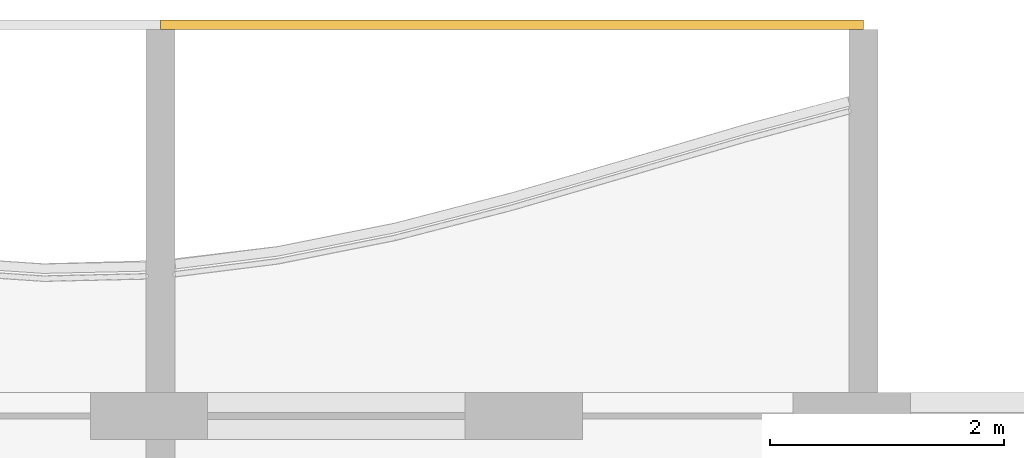
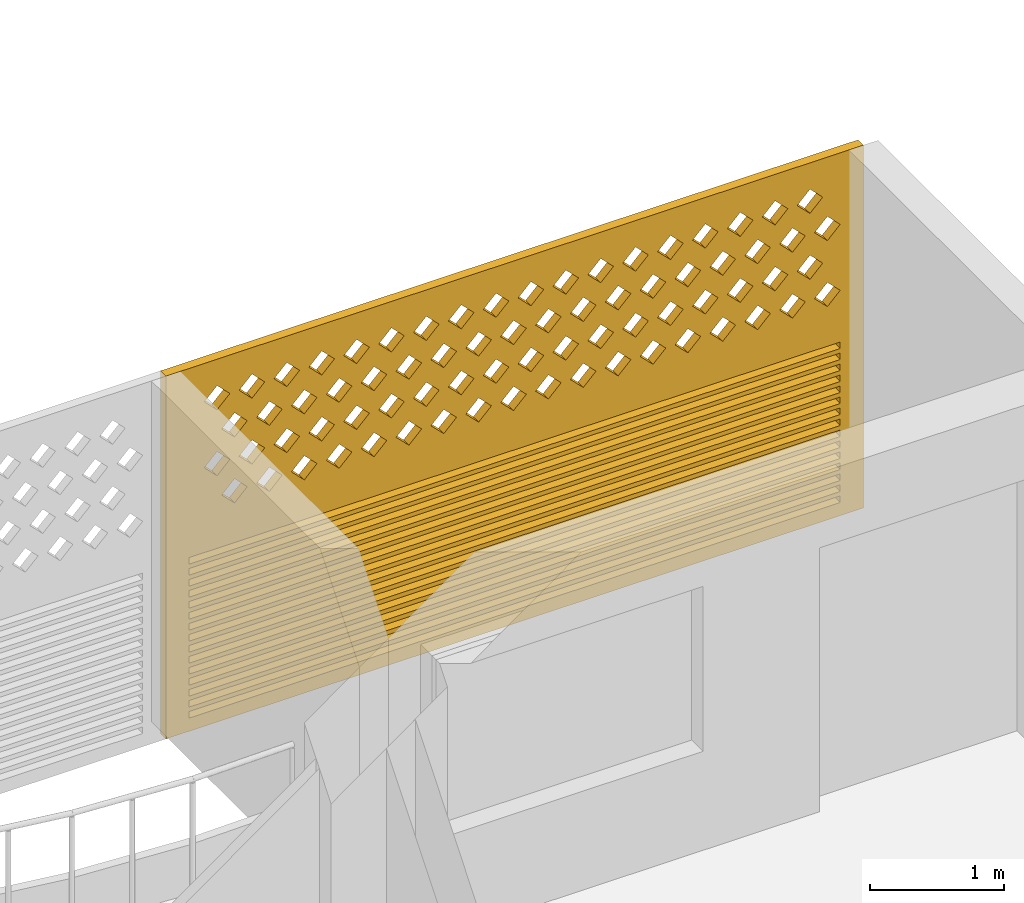
# One storey, part 19 of 27: 1 covering.
"""IFC4 building model written with IfcOpenShell, lengths in metres."""

from ifc_helpers import new_model, si_unit, direction, frame, origin, place, context, subcontext, project, spatial, polyline, outline, extrude, source, transform, mapped, material, material_profile, profile_set, type_object, element, save


model = new_model("IFC4")

# Units and contexts
model_context = context("Model", 3, precision=1e-05, world=origin(), true_north=direction((0.0, 1.0)))
body_context = subcontext(model_context, "Body", "Model", "MODEL_VIEW")
ifc_project = project(units=[si_unit("LENGTHUNIT", "METRE"), si_unit("AREAUNIT", "SQUARE_METRE"), si_unit("VOLUMEUNIT", "CUBIC_METRE"), si_unit("PLANEANGLEUNIT", "RADIAN"), si_unit("MASSUNIT", "GRAM", prefix="KILO")], contexts=[model_context])

# Site, building, storey
site_placement = place(None, origin())
site = spatial("IfcSite", under=ifc_project, at=site_placement, CompositionType="ELEMENT")
building_placement = place(site_placement, origin())
building = spatial("IfcBuilding", under=site, at=building_placement, Name="Poui Terraces", CompositionType="ELEMENT")
storey_placement = place(building_placement, frame((0.0, 0.0, 254.39990234375)))
storey = spatial("IfcBuildingStorey", under=building, at=storey_placement, Name="L71", CompositionType="ELEMENT", Elevation=254.39990234375)

# Covering
ifc_material = material(Name="Terracotta screen", Category="masonry")
ifc_material_profile = material_profile(ifc_material, outline(polyline([(-3.0, -1.64990234375), (3.0, -1.64990234375), (3.0, 1.64990234375), (-3.0, 1.64990234375), (-3.0, -1.64990234375)]), holes=[polyline([(-2.800048828125, 0.39990234375), (-2.68994140625, 0.2900390625), (-2.580078125, 0.39990234375), (-2.68994140625, 0.510009765625), (-2.800048828125, 0.39990234375)]), polyline([(-2.5, 0.39990234375), (-2.389892578125, 0.2900390625), (-2.280029296875, 0.39990234375), (-2.389892578125, 0.510009765625), (-2.5, 0.39990234375)]), polyline([(-2.199951171875, 0.39990234375), (-2.090087890625, 0.2900390625), (-1.97998046875, 0.39990234375), (-2.090087890625, 0.510009765625), (-2.199951171875, 0.39990234375)]), polyline([(-1.89990234375, 0.39990234375), (-1.7900390625, 0.2900390625), (-1.679931640625, 0.39990234375), (-1.7900390625, 0.510009765625), (-1.89990234375, 0.39990234375)]), polyline([(-1.60009765625, 0.39990234375), (-1.489990234375, 0.2900390625), (-1.3798828125, 0.39990234375), (-1.489990234375, 0.510009765625), (-1.60009765625, 0.39990234375)]), polyline([(-1.300048828125, 0.39990234375), (-1.18994140625, 0.2900390625), (-1.080078125, 0.39990234375), (-1.18994140625, 0.510009765625), (-1.300048828125, 0.39990234375)]), polyline([(-1.0, 0.39990234375), (-0.889892578125, 0.2900390625), (-0.780029296875, 0.39990234375), (-0.889892578125, 0.510009765625), (-1.0, 0.39990234375)]), polyline([(-0.699951171875, 0.39990234375), (-0.590087890625, 0.2900390625), (-0.47998046875, 0.39990234375), (-0.590087890625, 0.510009765625), (-0.699951171875, 0.39990234375)]), polyline([(-0.39990234375, 0.39990234375), (-0.2900390625, 0.2900390625), (-0.179931640625, 0.39990234375), (-0.2900390625, 0.510009765625), (-0.39990234375, 0.39990234375)]), polyline([(-0.10009765625, 0.39990234375), (0.010009765625, 0.2900390625), (0.1201171875, 0.39990234375), (0.010009765625, 0.510009765625), (-0.10009765625, 0.39990234375)]), polyline([(0.199951171875, 0.39990234375), (0.31005859375, 0.2900390625), (0.419921875, 0.39990234375), (0.31005859375, 0.510009765625), (0.199951171875, 0.39990234375)]), polyline([(0.5, 0.39990234375), (0.610107421875, 0.2900390625), (0.719970703125, 0.39990234375), (0.610107421875, 0.510009765625), (0.5, 0.39990234375)]), polyline([(0.800048828125, 0.39990234375), (0.909912109375, 0.2900390625), (1.02001953125, 0.39990234375), (0.909912109375, 0.510009765625), (0.800048828125, 0.39990234375)]), polyline([(1.10009765625, 0.39990234375), (1.2099609375, 0.2900390625), (1.320068359375, 0.39990234375), (1.2099609375, 0.510009765625), (1.10009765625, 0.39990234375)]), polyline([(1.39990234375, 0.39990234375), (1.510009765625, 0.2900390625), (1.6201171875, 0.39990234375), (1.510009765625, 0.510009765625), (1.39990234375, 0.39990234375)]), polyline([(1.699951171875, 0.39990234375), (1.81005859375, 0.2900390625), (1.919921875, 0.39990234375), (1.81005859375, 0.510009765625), (1.699951171875, 0.39990234375)]), polyline([(2.0, 0.39990234375), (2.110107421875, 0.2900390625), (2.219970703125, 0.39990234375), (2.110107421875, 0.510009765625), (2.0, 0.39990234375)]), polyline([(2.300048828125, 0.39990234375), (2.409912109375, 0.2900390625), (2.52001953125, 0.39990234375), (2.409912109375, 0.510009765625), (2.300048828125, 0.39990234375)]), polyline([(-2.64990234375, 0.699951171875), (-2.5400390625, 0.590087890625), (-2.429931640625, 0.699951171875), (-2.5400390625, 0.81005859375), (-2.64990234375, 0.699951171875)]), polyline([(-2.35009765625, 0.699951171875), (-2.239990234375, 0.590087890625), (-2.1298828125, 0.699951171875), (-2.239990234375, 0.81005859375), (-2.35009765625, 0.699951171875)]), polyline([(-2.050048828125, 0.699951171875), (-1.93994140625, 0.590087890625), (-1.830078125, 0.699951171875), (-1.93994140625, 0.81005859375), (-2.050048828125, 0.699951171875)]), polyline([(-1.75, 0.699951171875), (-1.639892578125, 0.590087890625), (-1.530029296875, 0.699951171875), (-1.639892578125, 0.81005859375), (-1.75, 0.699951171875)]), polyline([(-1.449951171875, 0.699951171875), (-1.340087890625, 0.590087890625), (-1.22998046875, 0.699951171875), (-1.340087890625, 0.81005859375), (-1.449951171875, 0.699951171875)]), polyline([(-1.14990234375, 0.699951171875), (-1.0400390625, 0.590087890625), (-0.929931640625, 0.699951171875), (-1.0400390625, 0.81005859375), (-1.14990234375, 0.699951171875)]), polyline([(-0.85009765625, 0.699951171875), (-0.739990234375, 0.590087890625), (-0.6298828125, 0.699951171875), (-0.739990234375, 0.81005859375), (-0.85009765625, 0.699951171875)]), polyline([(-0.550048828125, 0.699951171875), (-0.43994140625, 0.590087890625), (-0.330078125, 0.699951171875), (-0.43994140625, 0.81005859375), (-0.550048828125, 0.699951171875)]), polyline([(-0.25, 0.699951171875), (-0.139892578125, 0.590087890625), (-0.030029296875, 0.699951171875), (-0.139892578125, 0.81005859375), (-0.25, 0.699951171875)]), polyline([(0.050048828125, 0.699951171875), (0.159912109375, 0.590087890625), (0.27001953125, 0.699951171875), (0.159912109375, 0.81005859375), (0.050048828125, 0.699951171875)]), polyline([(0.35009765625, 0.699951171875), (0.4599609375, 0.590087890625), (0.570068359375, 0.699951171875), (0.4599609375, 0.81005859375), (0.35009765625, 0.699951171875)]), polyline([(0.64990234375, 0.699951171875), (0.760009765625, 0.590087890625), (0.8701171875, 0.699951171875), (0.760009765625, 0.81005859375), (0.64990234375, 0.699951171875)]), polyline([(0.949951171875, 0.699951171875), (1.06005859375, 0.590087890625), (1.169921875, 0.699951171875), (1.06005859375, 0.81005859375), (0.949951171875, 0.699951171875)]), polyline([(1.25, 0.699951171875), (1.360107421875, 0.590087890625), (1.469970703125, 0.699951171875), (1.360107421875, 0.81005859375), (1.25, 0.699951171875)]), polyline([(1.550048828125, 0.699951171875), (1.659912109375, 0.590087890625), (1.77001953125, 0.699951171875), (1.659912109375, 0.81005859375), (1.550048828125, 0.699951171875)]), polyline([(1.85009765625, 0.699951171875), (1.9599609375, 0.590087890625), (2.070068359375, 0.699951171875), (1.9599609375, 0.81005859375), (1.85009765625, 0.699951171875)]), polyline([(2.14990234375, 0.699951171875), (2.260009765625, 0.590087890625), (2.3701171875, 0.699951171875), (2.260009765625, 0.81005859375), (2.14990234375, 0.699951171875)]), polyline([(2.449951171875, 0.699951171875), (2.56005859375, 0.590087890625), (2.669921875, 0.699951171875), (2.56005859375, 0.81005859375), (2.449951171875, 0.699951171875)]), polyline([(-2.800048828125, 1.0), (-2.68994140625, 0.889892578125), (-2.580078125, 1.0), (-2.68994140625, 1.110107421875), (-2.800048828125, 1.0)]), polyline([(-2.5, 1.0), (-2.389892578125, 0.889892578125), (-2.280029296875, 1.0), (-2.389892578125, 1.110107421875), (-2.5, 1.0)]), polyline([(-2.199951171875, 1.0), (-2.090087890625, 0.889892578125), (-1.97998046875, 1.0), (-2.090087890625, 1.110107421875), (-2.199951171875, 1.0)]), polyline([(-1.89990234375, 1.0), (-1.7900390625, 0.889892578125), (-1.679931640625, 1.0), (-1.7900390625, 1.110107421875), (-1.89990234375, 1.0)]), polyline([(-1.60009765625, 1.0), (-1.489990234375, 0.889892578125), (-1.3798828125, 1.0), (-1.489990234375, 1.110107421875), (-1.60009765625, 1.0)]), polyline([(-1.300048828125, 1.0), (-1.18994140625, 0.889892578125), (-1.080078125, 1.0), (-1.18994140625, 1.110107421875), (-1.300048828125, 1.0)]), polyline([(-1.0, 1.0), (-0.889892578125, 0.889892578125), (-0.780029296875, 1.0), (-0.889892578125, 1.110107421875), (-1.0, 1.0)]), polyline([(-0.699951171875, 1.0), (-0.590087890625, 0.889892578125), (-0.47998046875, 1.0), (-0.590087890625, 1.110107421875), (-0.699951171875, 1.0)]), polyline([(-0.39990234375, 1.0), (-0.2900390625, 0.889892578125), (-0.179931640625, 1.0), (-0.2900390625, 1.110107421875), (-0.39990234375, 1.0)]), polyline([(-0.10009765625, 1.0), (0.010009765625, 0.889892578125), (0.1201171875, 1.0), (0.010009765625, 1.110107421875), (-0.10009765625, 1.0)]), polyline([(0.199951171875, 1.0), (0.31005859375, 0.889892578125), (0.419921875, 1.0), (0.31005859375, 1.110107421875), (0.199951171875, 1.0)]), polyline([(0.5, 1.0), (0.610107421875, 0.889892578125), (0.719970703125, 1.0), (0.610107421875, 1.110107421875), (0.5, 1.0)]), polyline([(0.800048828125, 1.0), (0.909912109375, 0.889892578125), (1.02001953125, 1.0), (0.909912109375, 1.110107421875), (0.800048828125, 1.0)]), polyline([(1.10009765625, 1.0), (1.2099609375, 0.889892578125), (1.320068359375, 1.0), (1.2099609375, 1.110107421875), (1.10009765625, 1.0)]), polyline([(1.39990234375, 1.0), (1.510009765625, 0.889892578125), (1.6201171875, 1.0), (1.510009765625, 1.110107421875), (1.39990234375, 1.0)]), polyline([(1.699951171875, 1.0), (1.81005859375, 0.889892578125), (1.919921875, 1.0), (1.81005859375, 1.110107421875), (1.699951171875, 1.0)]), polyline([(2.0, 1.0), (2.110107421875, 0.889892578125), (2.219970703125, 1.0), (2.110107421875, 1.110107421875), (2.0, 1.0)]), polyline([(2.300048828125, 1.0), (2.409912109375, 0.889892578125), (2.52001953125, 1.0), (2.409912109375, 1.110107421875), (2.300048828125, 1.0)]), polyline([(-2.64990234375, 1.300048828125), (-2.5400390625, 1.18994140625), (-2.429931640625, 1.300048828125), (-2.5400390625, 1.409912109375), (-2.64990234375, 1.300048828125)]), polyline([(-2.35009765625, 1.300048828125), (-2.239990234375, 1.18994140625), (-2.1298828125, 1.300048828125), (-2.239990234375, 1.409912109375), (-2.35009765625, 1.300048828125)]), polyline([(-2.050048828125, 1.300048828125), (-1.93994140625, 1.18994140625), (-1.830078125, 1.300048828125), (-1.93994140625, 1.409912109375), (-2.050048828125, 1.300048828125)]), polyline([(-1.75, 1.300048828125), (-1.639892578125, 1.18994140625), (-1.530029296875, 1.300048828125), (-1.639892578125, 1.409912109375), (-1.75, 1.300048828125)]), polyline([(-1.449951171875, 1.300048828125), (-1.340087890625, 1.18994140625), (-1.22998046875, 1.300048828125), (-1.340087890625, 1.409912109375), (-1.449951171875, 1.300048828125)]), polyline([(-1.14990234375, 1.300048828125), (-1.0400390625, 1.18994140625), (-0.929931640625, 1.300048828125), (-1.0400390625, 1.409912109375), (-1.14990234375, 1.300048828125)]), polyline([(-0.85009765625, 1.300048828125), (-0.739990234375, 1.18994140625), (-0.6298828125, 1.300048828125), (-0.739990234375, 1.409912109375), (-0.85009765625, 1.300048828125)]), polyline([(-0.550048828125, 1.300048828125), (-0.43994140625, 1.18994140625), (-0.330078125, 1.300048828125), (-0.43994140625, 1.409912109375), (-0.550048828125, 1.300048828125)]), polyline([(-0.25, 1.300048828125), (-0.139892578125, 1.18994140625), (-0.030029296875, 1.300048828125), (-0.139892578125, 1.409912109375), (-0.25, 1.300048828125)]), polyline([(0.050048828125, 1.300048828125), (0.159912109375, 1.18994140625), (0.27001953125, 1.300048828125), (0.159912109375, 1.409912109375), (0.050048828125, 1.300048828125)]), polyline([(0.35009765625, 1.300048828125), (0.4599609375, 1.18994140625), (0.570068359375, 1.300048828125), (0.4599609375, 1.409912109375), (0.35009765625, 1.300048828125)]), polyline([(0.64990234375, 1.300048828125), (0.760009765625, 1.18994140625), (0.8701171875, 1.300048828125), (0.760009765625, 1.409912109375), (0.64990234375, 1.300048828125)]), polyline([(0.949951171875, 1.300048828125), (1.06005859375, 1.18994140625), (1.169921875, 1.300048828125), (1.06005859375, 1.409912109375), (0.949951171875, 1.300048828125)]), polyline([(1.25, 1.300048828125), (1.360107421875, 1.18994140625), (1.469970703125, 1.300048828125), (1.360107421875, 1.409912109375), (1.25, 1.300048828125)]), polyline([(1.550048828125, 1.300048828125), (1.659912109375, 1.18994140625), (1.77001953125, 1.300048828125), (1.659912109375, 1.409912109375), (1.550048828125, 1.300048828125)]), polyline([(1.85009765625, 1.300048828125), (1.9599609375, 1.18994140625), (2.070068359375, 1.300048828125), (1.9599609375, 1.409912109375), (1.85009765625, 1.300048828125)]), polyline([(2.14990234375, 1.300048828125), (2.260009765625, 1.18994140625), (2.3701171875, 1.300048828125), (2.260009765625, 1.409912109375), (2.14990234375, 1.300048828125)]), polyline([(2.449951171875, 1.300048828125), (2.56005859375, 1.18994140625), (2.669921875, 1.300048828125), (2.56005859375, 1.409912109375), (2.449951171875, 1.300048828125)]), polyline([(-2.800048828125, -1.530029296875), (2.800048828125, -1.530029296875), (2.800048828125, -1.469970703125), (-2.800048828125, -1.469970703125), (-2.800048828125, -1.530029296875)]), polyline([(-2.800048828125, -1.429931640625), (2.800048828125, -1.429931640625), (2.800048828125, -1.3701171875), (-2.800048828125, -1.3701171875), (-2.800048828125, -1.429931640625)]), polyline([(-2.800048828125, -1.330078125), (2.800048828125, -1.330078125), (2.800048828125, -1.27001953125), (-2.800048828125, -1.27001953125), (-2.800048828125, -1.330078125)]), polyline([(-2.800048828125, -1.22998046875), (2.800048828125, -1.22998046875), (2.800048828125, -1.169921875), (-2.800048828125, -1.169921875), (-2.800048828125, -1.22998046875)]), polyline([(-2.800048828125, -1.1298828125), (2.800048828125, -1.1298828125), (2.800048828125, -1.070068359375), (-2.800048828125, -1.070068359375), (-2.800048828125, -1.1298828125)]), polyline([(-2.800048828125, -1.030029296875), (2.800048828125, -1.030029296875), (2.800048828125, -0.969970703125), (-2.800048828125, -0.969970703125), (-2.800048828125, -1.030029296875)]), polyline([(-2.800048828125, -0.929931640625), (2.800048828125, -0.929931640625), (2.800048828125, -0.8701171875), (-2.800048828125, -0.8701171875), (-2.800048828125, -0.929931640625)]), polyline([(-2.800048828125, -0.830078125), (2.800048828125, -0.830078125), (2.800048828125, -0.77001953125), (-2.800048828125, -0.77001953125), (-2.800048828125, -0.830078125)]), polyline([(-2.800048828125, -0.72998046875), (2.800048828125, -0.72998046875), (2.800048828125, -0.669921875), (-2.800048828125, -0.669921875), (-2.800048828125, -0.72998046875)]), polyline([(-2.800048828125, -0.6298828125), (2.800048828125, -0.6298828125), (2.800048828125, -0.570068359375), (-2.800048828125, -0.570068359375), (-2.800048828125, -0.6298828125)]), polyline([(-2.800048828125, -0.530029296875), (2.800048828125, -0.530029296875), (2.800048828125, -0.469970703125), (-2.800048828125, -0.469970703125), (-2.800048828125, -0.530029296875)]), polyline([(-2.800048828125, -0.429931640625), (2.800048828125, -0.429931640625), (2.800048828125, -0.3701171875), (-2.800048828125, -0.3701171875), (-2.800048828125, -0.429931640625)]), polyline([(-2.800048828125, -0.330078125), (2.800048828125, -0.330078125), (2.800048828125, -0.27001953125), (-2.800048828125, -0.27001953125), (-2.800048828125, -0.330078125)]), polyline([(-2.800048828125, -0.22998046875), (2.800048828125, -0.22998046875), (2.800048828125, -0.169921875), (-2.800048828125, -0.169921875), (-2.800048828125, -0.22998046875)]), polyline([(-2.800048828125, -0.1298828125), (2.800048828125, -0.1298828125), (2.800048828125, -0.070068359375), (-2.800048828125, -0.070068359375), (-2.800048828125, -0.1298828125)])]), Name="TERRACOTTA SCREEN AND JALOUSIE LOUVRE 6000X3300")
ifc_profile_set = profile_set([ifc_material_profile], Name="Terracotta screen")
covering_type = type_object("IfcCoveringType", Name="TERRACOTTA SCREEN AND JALOUSIE LOUVRE 6000X3300", PredefinedType="CLADDING", material=ifc_profile_set)
shared_shape = source(origin(), body_context, "Body", "SweptSolid", [
    extrude(outline(polyline([(-3.0, -1.64990234375), (3.0, -1.64990234375), (3.0, 1.64990234375), (-3.0, 1.64990234375), (-3.0, -1.64990234375)]), holes=[polyline([(-2.800048828125, 0.39990234375), (-2.68994140625, 0.2900390625), (-2.580078125, 0.39990234375), (-2.68994140625, 0.510009765625), (-2.800048828125, 0.39990234375)]), polyline([(-2.5, 0.39990234375), (-2.389892578125, 0.2900390625), (-2.280029296875, 0.39990234375), (-2.389892578125, 0.510009765625), (-2.5, 0.39990234375)]), polyline([(-2.199951171875, 0.39990234375), (-2.090087890625, 0.2900390625), (-1.97998046875, 0.39990234375), (-2.090087890625, 0.510009765625), (-2.199951171875, 0.39990234375)]), polyline([(-1.89990234375, 0.39990234375), (-1.7900390625, 0.2900390625), (-1.679931640625, 0.39990234375), (-1.7900390625, 0.510009765625), (-1.89990234375, 0.39990234375)]), polyline([(-1.60009765625, 0.39990234375), (-1.489990234375, 0.2900390625), (-1.3798828125, 0.39990234375), (-1.489990234375, 0.510009765625), (-1.60009765625, 0.39990234375)]), polyline([(-1.300048828125, 0.39990234375), (-1.18994140625, 0.2900390625), (-1.080078125, 0.39990234375), (-1.18994140625, 0.510009765625), (-1.300048828125, 0.39990234375)]), polyline([(-1.0, 0.39990234375), (-0.889892578125, 0.2900390625), (-0.780029296875, 0.39990234375), (-0.889892578125, 0.510009765625), (-1.0, 0.39990234375)]), polyline([(-0.699951171875, 0.39990234375), (-0.590087890625, 0.2900390625), (-0.47998046875, 0.39990234375), (-0.590087890625, 0.510009765625), (-0.699951171875, 0.39990234375)]), polyline([(-0.39990234375, 0.39990234375), (-0.2900390625, 0.2900390625), (-0.179931640625, 0.39990234375), (-0.2900390625, 0.510009765625), (-0.39990234375, 0.39990234375)]), polyline([(-0.10009765625, 0.39990234375), (0.010009765625, 0.2900390625), (0.1201171875, 0.39990234375), (0.010009765625, 0.510009765625), (-0.10009765625, 0.39990234375)]), polyline([(0.199951171875, 0.39990234375), (0.31005859375, 0.2900390625), (0.419921875, 0.39990234375), (0.31005859375, 0.510009765625), (0.199951171875, 0.39990234375)]), polyline([(0.5, 0.39990234375), (0.610107421875, 0.2900390625), (0.719970703125, 0.39990234375), (0.610107421875, 0.510009765625), (0.5, 0.39990234375)]), polyline([(0.800048828125, 0.39990234375), (0.909912109375, 0.2900390625), (1.02001953125, 0.39990234375), (0.909912109375, 0.510009765625), (0.800048828125, 0.39990234375)]), polyline([(1.10009765625, 0.39990234375), (1.2099609375, 0.2900390625), (1.320068359375, 0.39990234375), (1.2099609375, 0.510009765625), (1.10009765625, 0.39990234375)]), polyline([(1.39990234375, 0.39990234375), (1.510009765625, 0.2900390625), (1.6201171875, 0.39990234375), (1.510009765625, 0.510009765625), (1.39990234375, 0.39990234375)]), polyline([(1.699951171875, 0.39990234375), (1.81005859375, 0.2900390625), (1.919921875, 0.39990234375), (1.81005859375, 0.510009765625), (1.699951171875, 0.39990234375)]), polyline([(2.0, 0.39990234375), (2.110107421875, 0.2900390625), (2.219970703125, 0.39990234375), (2.110107421875, 0.510009765625), (2.0, 0.39990234375)]), polyline([(2.300048828125, 0.39990234375), (2.409912109375, 0.2900390625), (2.52001953125, 0.39990234375), (2.409912109375, 0.510009765625), (2.300048828125, 0.39990234375)]), polyline([(-2.64990234375, 0.699951171875), (-2.5400390625, 0.590087890625), (-2.429931640625, 0.699951171875), (-2.5400390625, 0.81005859375), (-2.64990234375, 0.699951171875)]), polyline([(-2.35009765625, 0.699951171875), (-2.239990234375, 0.590087890625), (-2.1298828125, 0.699951171875), (-2.239990234375, 0.81005859375), (-2.35009765625, 0.699951171875)]), polyline([(-2.050048828125, 0.699951171875), (-1.93994140625, 0.590087890625), (-1.830078125, 0.699951171875), (-1.93994140625, 0.81005859375), (-2.050048828125, 0.699951171875)]), polyline([(-1.75, 0.699951171875), (-1.639892578125, 0.590087890625), (-1.530029296875, 0.699951171875), (-1.639892578125, 0.81005859375), (-1.75, 0.699951171875)]), polyline([(-1.449951171875, 0.699951171875), (-1.340087890625, 0.590087890625), (-1.22998046875, 0.699951171875), (-1.340087890625, 0.81005859375), (-1.449951171875, 0.699951171875)]), polyline([(-1.14990234375, 0.699951171875), (-1.0400390625, 0.590087890625), (-0.929931640625, 0.699951171875), (-1.0400390625, 0.81005859375), (-1.14990234375, 0.699951171875)]), polyline([(-0.85009765625, 0.699951171875), (-0.739990234375, 0.590087890625), (-0.6298828125, 0.699951171875), (-0.739990234375, 0.81005859375), (-0.85009765625, 0.699951171875)]), polyline([(-0.550048828125, 0.699951171875), (-0.43994140625, 0.590087890625), (-0.330078125, 0.699951171875), (-0.43994140625, 0.81005859375), (-0.550048828125, 0.699951171875)]), polyline([(-0.25, 0.699951171875), (-0.139892578125, 0.590087890625), (-0.030029296875, 0.699951171875), (-0.139892578125, 0.81005859375), (-0.25, 0.699951171875)]), polyline([(0.050048828125, 0.699951171875), (0.159912109375, 0.590087890625), (0.27001953125, 0.699951171875), (0.159912109375, 0.81005859375), (0.050048828125, 0.699951171875)]), polyline([(0.35009765625, 0.699951171875), (0.4599609375, 0.590087890625), (0.570068359375, 0.699951171875), (0.4599609375, 0.81005859375), (0.35009765625, 0.699951171875)]), polyline([(0.64990234375, 0.699951171875), (0.760009765625, 0.590087890625), (0.8701171875, 0.699951171875), (0.760009765625, 0.81005859375), (0.64990234375, 0.699951171875)]), polyline([(0.949951171875, 0.699951171875), (1.06005859375, 0.590087890625), (1.169921875, 0.699951171875), (1.06005859375, 0.81005859375), (0.949951171875, 0.699951171875)]), polyline([(1.25, 0.699951171875), (1.360107421875, 0.590087890625), (1.469970703125, 0.699951171875), (1.360107421875, 0.81005859375), (1.25, 0.699951171875)]), polyline([(1.550048828125, 0.699951171875), (1.659912109375, 0.590087890625), (1.77001953125, 0.699951171875), (1.659912109375, 0.81005859375), (1.550048828125, 0.699951171875)]), polyline([(1.85009765625, 0.699951171875), (1.9599609375, 0.590087890625), (2.070068359375, 0.699951171875), (1.9599609375, 0.81005859375), (1.85009765625, 0.699951171875)]), polyline([(2.14990234375, 0.699951171875), (2.260009765625, 0.590087890625), (2.3701171875, 0.699951171875), (2.260009765625, 0.81005859375), (2.14990234375, 0.699951171875)]), polyline([(2.449951171875, 0.699951171875), (2.56005859375, 0.590087890625), (2.669921875, 0.699951171875), (2.56005859375, 0.81005859375), (2.449951171875, 0.699951171875)]), polyline([(-2.800048828125, 1.0), (-2.68994140625, 0.889892578125), (-2.580078125, 1.0), (-2.68994140625, 1.110107421875), (-2.800048828125, 1.0)]), polyline([(-2.5, 1.0), (-2.389892578125, 0.889892578125), (-2.280029296875, 1.0), (-2.389892578125, 1.110107421875), (-2.5, 1.0)]), polyline([(-2.199951171875, 1.0), (-2.090087890625, 0.889892578125), (-1.97998046875, 1.0), (-2.090087890625, 1.110107421875), (-2.199951171875, 1.0)]), polyline([(-1.89990234375, 1.0), (-1.7900390625, 0.889892578125), (-1.679931640625, 1.0), (-1.7900390625, 1.110107421875), (-1.89990234375, 1.0)]), polyline([(-1.60009765625, 1.0), (-1.489990234375, 0.889892578125), (-1.3798828125, 1.0), (-1.489990234375, 1.110107421875), (-1.60009765625, 1.0)]), polyline([(-1.300048828125, 1.0), (-1.18994140625, 0.889892578125), (-1.080078125, 1.0), (-1.18994140625, 1.110107421875), (-1.300048828125, 1.0)]), polyline([(-1.0, 1.0), (-0.889892578125, 0.889892578125), (-0.780029296875, 1.0), (-0.889892578125, 1.110107421875), (-1.0, 1.0)]), polyline([(-0.699951171875, 1.0), (-0.590087890625, 0.889892578125), (-0.47998046875, 1.0), (-0.590087890625, 1.110107421875), (-0.699951171875, 1.0)]), polyline([(-0.39990234375, 1.0), (-0.2900390625, 0.889892578125), (-0.179931640625, 1.0), (-0.2900390625, 1.110107421875), (-0.39990234375, 1.0)]), polyline([(-0.10009765625, 1.0), (0.010009765625, 0.889892578125), (0.1201171875, 1.0), (0.010009765625, 1.110107421875), (-0.10009765625, 1.0)]), polyline([(0.199951171875, 1.0), (0.31005859375, 0.889892578125), (0.419921875, 1.0), (0.31005859375, 1.110107421875), (0.199951171875, 1.0)]), polyline([(0.5, 1.0), (0.610107421875, 0.889892578125), (0.719970703125, 1.0), (0.610107421875, 1.110107421875), (0.5, 1.0)]), polyline([(0.800048828125, 1.0), (0.909912109375, 0.889892578125), (1.02001953125, 1.0), (0.909912109375, 1.110107421875), (0.800048828125, 1.0)]), polyline([(1.10009765625, 1.0), (1.2099609375, 0.889892578125), (1.320068359375, 1.0), (1.2099609375, 1.110107421875), (1.10009765625, 1.0)]), polyline([(1.39990234375, 1.0), (1.510009765625, 0.889892578125), (1.6201171875, 1.0), (1.510009765625, 1.110107421875), (1.39990234375, 1.0)]), polyline([(1.699951171875, 1.0), (1.81005859375, 0.889892578125), (1.919921875, 1.0), (1.81005859375, 1.110107421875), (1.699951171875, 1.0)]), polyline([(2.0, 1.0), (2.110107421875, 0.889892578125), (2.219970703125, 1.0), (2.110107421875, 1.110107421875), (2.0, 1.0)]), polyline([(2.300048828125, 1.0), (2.409912109375, 0.889892578125), (2.52001953125, 1.0), (2.409912109375, 1.110107421875), (2.300048828125, 1.0)]), polyline([(-2.64990234375, 1.300048828125), (-2.5400390625, 1.18994140625), (-2.429931640625, 1.300048828125), (-2.5400390625, 1.409912109375), (-2.64990234375, 1.300048828125)]), polyline([(-2.35009765625, 1.300048828125), (-2.239990234375, 1.18994140625), (-2.1298828125, 1.300048828125), (-2.239990234375, 1.409912109375), (-2.35009765625, 1.300048828125)]), polyline([(-2.050048828125, 1.300048828125), (-1.93994140625, 1.18994140625), (-1.830078125, 1.300048828125), (-1.93994140625, 1.409912109375), (-2.050048828125, 1.300048828125)]), polyline([(-1.75, 1.300048828125), (-1.639892578125, 1.18994140625), (-1.530029296875, 1.300048828125), (-1.639892578125, 1.409912109375), (-1.75, 1.300048828125)]), polyline([(-1.449951171875, 1.300048828125), (-1.340087890625, 1.18994140625), (-1.22998046875, 1.300048828125), (-1.340087890625, 1.409912109375), (-1.449951171875, 1.300048828125)]), polyline([(-1.14990234375, 1.300048828125), (-1.0400390625, 1.18994140625), (-0.929931640625, 1.300048828125), (-1.0400390625, 1.409912109375), (-1.14990234375, 1.300048828125)]), polyline([(-0.85009765625, 1.300048828125), (-0.739990234375, 1.18994140625), (-0.6298828125, 1.300048828125), (-0.739990234375, 1.409912109375), (-0.85009765625, 1.300048828125)]), polyline([(-0.550048828125, 1.300048828125), (-0.43994140625, 1.18994140625), (-0.330078125, 1.300048828125), (-0.43994140625, 1.409912109375), (-0.550048828125, 1.300048828125)]), polyline([(-0.25, 1.300048828125), (-0.139892578125, 1.18994140625), (-0.030029296875, 1.300048828125), (-0.139892578125, 1.409912109375), (-0.25, 1.300048828125)]), polyline([(0.050048828125, 1.300048828125), (0.159912109375, 1.18994140625), (0.27001953125, 1.300048828125), (0.159912109375, 1.409912109375), (0.050048828125, 1.300048828125)]), polyline([(0.35009765625, 1.300048828125), (0.4599609375, 1.18994140625), (0.570068359375, 1.300048828125), (0.4599609375, 1.409912109375), (0.35009765625, 1.300048828125)]), polyline([(0.64990234375, 1.300048828125), (0.760009765625, 1.18994140625), (0.8701171875, 1.300048828125), (0.760009765625, 1.409912109375), (0.64990234375, 1.300048828125)]), polyline([(0.949951171875, 1.300048828125), (1.06005859375, 1.18994140625), (1.169921875, 1.300048828125), (1.06005859375, 1.409912109375), (0.949951171875, 1.300048828125)]), polyline([(1.25, 1.300048828125), (1.360107421875, 1.18994140625), (1.469970703125, 1.300048828125), (1.360107421875, 1.409912109375), (1.25, 1.300048828125)]), polyline([(1.550048828125, 1.300048828125), (1.659912109375, 1.18994140625), (1.77001953125, 1.300048828125), (1.659912109375, 1.409912109375), (1.550048828125, 1.300048828125)]), polyline([(1.85009765625, 1.300048828125), (1.9599609375, 1.18994140625), (2.070068359375, 1.300048828125), (1.9599609375, 1.409912109375), (1.85009765625, 1.300048828125)]), polyline([(2.14990234375, 1.300048828125), (2.260009765625, 1.18994140625), (2.3701171875, 1.300048828125), (2.260009765625, 1.409912109375), (2.14990234375, 1.300048828125)]), polyline([(2.449951171875, 1.300048828125), (2.56005859375, 1.18994140625), (2.669921875, 1.300048828125), (2.56005859375, 1.409912109375), (2.449951171875, 1.300048828125)]), polyline([(-2.800048828125, -1.530029296875), (2.800048828125, -1.530029296875), (2.800048828125, -1.469970703125), (-2.800048828125, -1.469970703125), (-2.800048828125, -1.530029296875)]), polyline([(-2.800048828125, -1.429931640625), (2.800048828125, -1.429931640625), (2.800048828125, -1.3701171875), (-2.800048828125, -1.3701171875), (-2.800048828125, -1.429931640625)]), polyline([(-2.800048828125, -1.330078125), (2.800048828125, -1.330078125), (2.800048828125, -1.27001953125), (-2.800048828125, -1.27001953125), (-2.800048828125, -1.330078125)]), polyline([(-2.800048828125, -1.22998046875), (2.800048828125, -1.22998046875), (2.800048828125, -1.169921875), (-2.800048828125, -1.169921875), (-2.800048828125, -1.22998046875)]), polyline([(-2.800048828125, -1.1298828125), (2.800048828125, -1.1298828125), (2.800048828125, -1.070068359375), (-2.800048828125, -1.070068359375), (-2.800048828125, -1.1298828125)]), polyline([(-2.800048828125, -1.030029296875), (2.800048828125, -1.030029296875), (2.800048828125, -0.969970703125), (-2.800048828125, -0.969970703125), (-2.800048828125, -1.030029296875)]), polyline([(-2.800048828125, -0.929931640625), (2.800048828125, -0.929931640625), (2.800048828125, -0.8701171875), (-2.800048828125, -0.8701171875), (-2.800048828125, -0.929931640625)]), polyline([(-2.800048828125, -0.830078125), (2.800048828125, -0.830078125), (2.800048828125, -0.77001953125), (-2.800048828125, -0.77001953125), (-2.800048828125, -0.830078125)]), polyline([(-2.800048828125, -0.72998046875), (2.800048828125, -0.72998046875), (2.800048828125, -0.669921875), (-2.800048828125, -0.669921875), (-2.800048828125, -0.72998046875)]), polyline([(-2.800048828125, -0.6298828125), (2.800048828125, -0.6298828125), (2.800048828125, -0.570068359375), (-2.800048828125, -0.570068359375), (-2.800048828125, -0.6298828125)]), polyline([(-2.800048828125, -0.530029296875), (2.800048828125, -0.530029296875), (2.800048828125, -0.469970703125), (-2.800048828125, -0.469970703125), (-2.800048828125, -0.530029296875)]), polyline([(-2.800048828125, -0.429931640625), (2.800048828125, -0.429931640625), (2.800048828125, -0.3701171875), (-2.800048828125, -0.3701171875), (-2.800048828125, -0.429931640625)]), polyline([(-2.800048828125, -0.330078125), (2.800048828125, -0.330078125), (2.800048828125, -0.27001953125), (-2.800048828125, -0.27001953125), (-2.800048828125, -0.330078125)]), polyline([(-2.800048828125, -0.22998046875), (2.800048828125, -0.22998046875), (2.800048828125, -0.169921875), (-2.800048828125, -0.169921875), (-2.800048828125, -0.22998046875)]), polyline([(-2.800048828125, -0.1298828125), (2.800048828125, -0.1298828125), (2.800048828125, -0.070068359375), (-2.800048828125, -0.070068359375), (-2.800048828125, -0.1298828125)])]), origin(), (0.0, 0.0, 1.0), 0.080078125),
])
covering_placement = place(storey_placement, frame((39.0, 44.5, 1.4501953125), z_axis=(0.0, 1.0, 0.0), x_axis=(-1.0, 0.0, 0.0)))
element("IfcCovering", 1, at=covering_placement, inside=storey, type_object=covering_type, Name="SOLAR SCREEN AND JALOUSIE LOUVRE", PredefinedType="CLADDING", context=body_context, shape_type="MappedRepresentation", body=[
    mapped(shared_shape, transform((0.0, 0.0, 0.0))),
])

save(model, "model.ifc")
